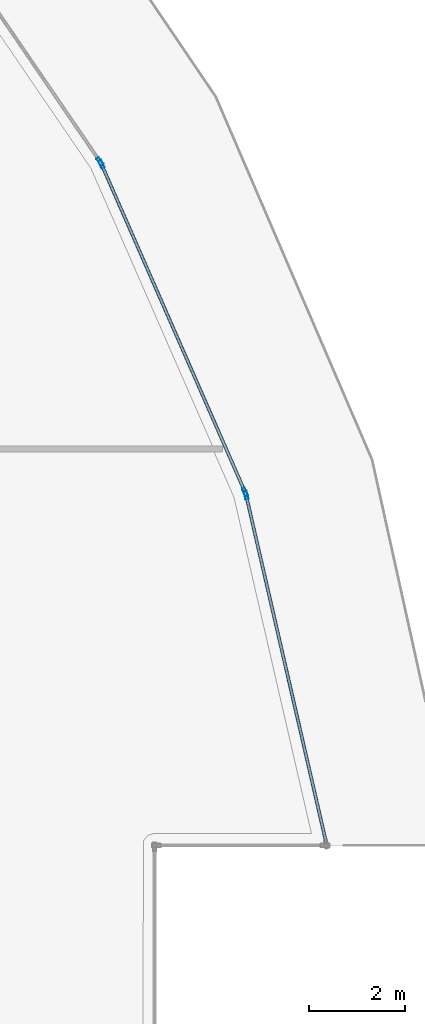
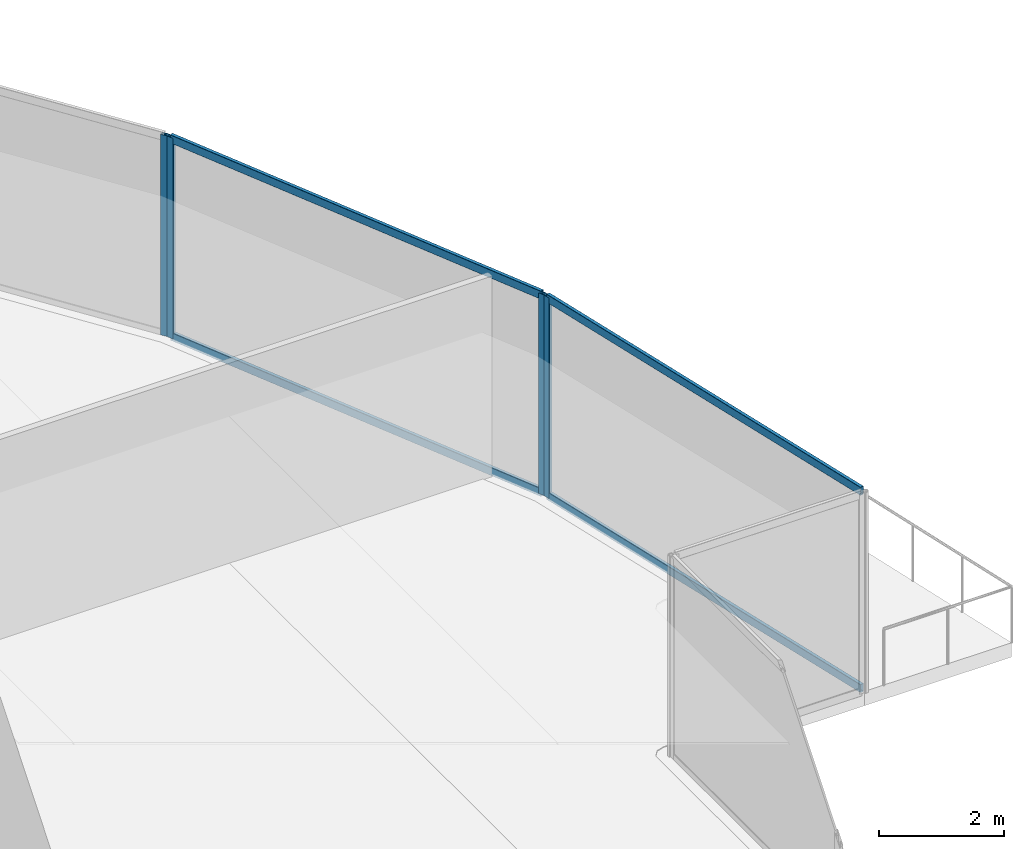
# One storey, part 25 of 44: 8 members, 3 elements without a shape of their own.
"""IFC4 building model written with IfcOpenShell, lengths in metres."""

from ifc_helpers import new_model, si_unit, direction, frame, origin, origin_2d, place, context, subcontext, project, spatial, hollow_rectangle, extrude, material, layer, layer_set, material_profile, profile_set, type_object, element, aggregate, save


model = new_model("IFC4")

# Units and contexts
model_context = context("Model", 3, precision=1e-05, world=origin(), true_north=direction((0.0, 1.0)))
body_context = subcontext(model_context, "Body", "Model", "MODEL_VIEW")
ifc_project = project(units=[si_unit("LENGTHUNIT", "METRE"), si_unit("AREAUNIT", "SQUARE_METRE"), si_unit("VOLUMEUNIT", "CUBIC_METRE"), si_unit("PLANEANGLEUNIT", "RADIAN"), si_unit("MASSUNIT", "GRAM", prefix="KILO")], contexts=[model_context])

# Site, building, storey
site_placement = place(None, origin())
site = spatial("IfcSite", under=ifc_project, at=site_placement, CompositionType="ELEMENT")
building_placement = place(site_placement, origin())
building = spatial("IfcBuilding", under=site, at=building_placement, Name="Qorvath Tower", CompositionType="ELEMENT")
storey_placement = place(building_placement, frame((0.0, 0.0, 45.0)))
storey = spatial("IfcBuildingStorey", under=building, at=storey_placement, Name="L09", CompositionType="ELEMENT", Elevation=45.0)

# Curtain wall, member
ifc_material_1 = material(Name="Anodised aluminium and triple low-E glass", Category="aluminium")
ifc_layer = layer(ifc_material_1, 0.179931640625)
ifc_layer_set = layer_set([ifc_layer], Name="CW-SYS-2")
curtain_wall_type = type_object("IfcCurtainWallType", Name="CW-SYS-2", PredefinedType="NOTDEFINED", material=ifc_layer_set)
curtain_wall_1_placement = place(storey_placement, origin())
curtain_wall_1 = element("IfcCurtainWall", 1, at=curtain_wall_1_placement, inside=storey, type_object=curtain_wall_type, Name="Curtain Wall CW-2 CW-T-L09-11.1", PredefinedType="NOTDEFINED")
ifc_material_2 = material(Name="Anodised aluminium 6063-T6", Category="aluminium")
ifc_material_profile_1 = material_profile(ifc_material_2, hollow_rectangle(XDim=0.06494140625, YDim=0.179931640625, WallThickness=0.00341796875, InnerFilletRadius=0.00341796875, OuterFilletRadius=0.007080078125, at=origin_2d()), Name="CWM 180x65")
ifc_profile_set_1 = profile_set([ifc_material_profile_1], Name="Anodised aluminium 6063-T6")
member_type_1 = type_object("IfcMemberType", Name="CWM-180", PredefinedType="MULLION", material=ifc_profile_set_1)
member_1_placement = place(storey_placement, frame((5.63818359375, 12.63037109375, 0.0), z_axis=(0.0, 0.0, 1.0), x_axis=(-0.974466004857, -0.224535087188, 0.0)))
member_1 = element("IfcMember", 2, at=member_1_placement, type_object=member_type_1, Name="CW-2 mullion 2", PredefinedType="MULLION", context=body_context, shape_type="SweptSolid", body=[
    extrude(hollow_rectangle(XDim=0.06494140625, YDim=0.179931640625, WallThickness=0.00341796875, InnerFilletRadius=0.00341796875, OuterFilletRadius=0.007080078125, at=origin_2d()), origin(), (0.0, 0.0, 1.0), 3.919921875),
])

# Curtain wall, members
curtain_wall_2_placement = place(storey_placement, origin())
curtain_wall_2 = element("IfcCurtainWall", 3, at=curtain_wall_2_placement, inside=storey, type_object=curtain_wall_type, Name="Curtain Wall CW-2 CW-T-L09-12.1", PredefinedType="NOTDEFINED")
member_2_placement = place(storey_placement, frame((5.617919921875, 12.69189453125, 0.0), z_axis=(0.0, 0.0, 1.0), x_axis=(-0.916000523281, -0.401177069819, 0.0)))
member_2 = element("IfcMember", 4, at=member_2_placement, type_object=member_type_1, Name="CW-2 mullion 1", PredefinedType="MULLION", context=body_context, shape_type="SweptSolid", body=[
    extrude(hollow_rectangle(XDim=0.06494140625, YDim=0.179931640625, WallThickness=0.00341796875, InnerFilletRadius=0.00341796875, OuterFilletRadius=0.007080078125, at=origin_2d()), origin(), (0.0, 0.0, 1.0), 3.919921875),
])
member_3_placement = place(storey_placement, frame((2.63623046875, 19.49951171875, 0.0), z_axis=(0.0, 0.0, 1.0), x_axis=(-0.916000523281, -0.401177069819, 0.0)))
member_3 = element("IfcMember", 5, at=member_3_placement, type_object=member_type_1, Name="CW-2 mullion 2", PredefinedType="MULLION", context=body_context, shape_type="SweptSolid", body=[
    extrude(hollow_rectangle(XDim=0.06494140625, YDim=0.179931640625, WallThickness=0.00341796875, InnerFilletRadius=0.00341796875, OuterFilletRadius=0.007080078125, at=origin_2d()), origin(), (0.0, 0.0, 1.0), 3.919921875),
])

# Curtain wall, member
curtain_wall_3_placement = place(storey_placement, origin())
curtain_wall_3 = element("IfcCurtainWall", 6, at=curtain_wall_3_placement, inside=storey, type_object=curtain_wall_type, Name="Curtain Wall CW-2 CW-T-L09-13.1", PredefinedType="NOTDEFINED")
member_4_placement = place(storey_placement, frame((2.60498046875, 19.55615234375, 0.0), z_axis=(0.0, 0.0, 1.0), x_axis=(-0.825849008834, -0.563891314535, 0.0)))
member_4 = element("IfcMember", 7, at=member_4_placement, type_object=member_type_1, Name="CW-2 mullion 1", PredefinedType="MULLION", context=body_context, shape_type="SweptSolid", body=[
    extrude(hollow_rectangle(XDim=0.06494140625, YDim=0.179931640625, WallThickness=0.00341796875, InnerFilletRadius=0.00341796875, OuterFilletRadius=0.007080078125, at=origin_2d()), origin(), (0.0, 0.0, 1.0), 3.919921875),
])
aggregate(curtain_wall_3, [member_4])

# Member
ifc_material_3 = material(Name="Anodised aluminium 6063-T6", Category="aluminium")
ifc_material_profile_2 = material_profile(ifc_material_3, hollow_rectangle(XDim=0.06494140625, YDim=0.159912109375, WallThickness=0.00341796875, InnerFilletRadius=0.00341796875, OuterFilletRadius=0.007080078125, at=origin_2d()), Name="CWT 160x65")
ifc_profile_set_2 = profile_set([ifc_material_profile_2], Name="Anodised aluminium 6063-T6")
member_type_2 = type_object("IfcMemberType", Name="CWT-160", PredefinedType="USERDEFINED", material=ifc_profile_set_2)
member_5_placement = place(storey_placement, frame((7.299560546875, 5.419921875, 0.032470703125), z_axis=(-0.224520650213, 0.974469331292, 0.0), x_axis=(-0.974469331292, -0.224520650213, 0.0)))
member_5 = element("IfcMember", 8, at=member_5_placement, type_object=member_type_2, Name="CW-2 transom 1.1", ObjectType="TRANSOM", PredefinedType="USERDEFINED", context=body_context, shape_type="SweptSolid", body=[
    extrude(hollow_rectangle(XDim=0.06494140625, YDim=0.159912109375, WallThickness=0.00341796875, InnerFilletRadius=0.00341796875, OuterFilletRadius=0.007080078125, at=origin_2d()), origin(), (0.0, 0.0, 1.0), 7.366943359375),
])

member_6_placement = place(storey_placement, frame((7.299560546875, 5.419921875, 3.887451171875), z_axis=(-0.224520650213, 0.974469331292, 0.0), x_axis=(-0.974469331292, -0.224520650213, 0.0)))
member_6 = element("IfcMember", 9, at=member_6_placement, type_object=member_type_2, Name="CW-2 transom 1.2", ObjectType="TRANSOM", PredefinedType="USERDEFINED", context=body_context, shape_type="SweptSolid", body=[
    extrude(hollow_rectangle(XDim=0.06494140625, YDim=0.159912109375, WallThickness=0.00341796875, InnerFilletRadius=0.00341796875, OuterFilletRadius=0.007080078125, at=origin_2d()), origin(), (0.0, 0.0, 1.0), 7.366943359375),
])

aggregate(curtain_wall_1, [member_1, member_5, member_6])

member_7_placement = place(storey_placement, frame((5.604736328125, 12.7216796875, 0.032470703125), z_axis=(-0.401166509416, 0.916005148306, 0.0), x_axis=(-0.916005148306, -0.401166509416, 0.0)))
member_7 = element("IfcMember", 10, at=member_7_placement, type_object=member_type_2, Name="CW-2 transom 1.1", ObjectType="TRANSOM", PredefinedType="USERDEFINED", context=body_context, shape_type="SweptSolid", body=[
    extrude(hollow_rectangle(XDim=0.06494140625, YDim=0.159912109375, WallThickness=0.00341796875, InnerFilletRadius=0.00341796875, OuterFilletRadius=0.007080078125, at=origin_2d()), origin(), (0.0, 0.0, 1.0), 7.366943359375),
])

member_8_placement = place(storey_placement, frame((5.604736328125, 12.7216796875, 3.887451171875), z_axis=(-0.401166509416, 0.916005148306, 0.0), x_axis=(-0.916005148306, -0.401166509416, 0.0)))
member_8 = element("IfcMember", 11, at=member_8_placement, type_object=member_type_2, Name="CW-2 transom 1.2", ObjectType="TRANSOM", PredefinedType="USERDEFINED", context=body_context, shape_type="SweptSolid", body=[
    extrude(hollow_rectangle(XDim=0.06494140625, YDim=0.159912109375, WallThickness=0.00341796875, InnerFilletRadius=0.00341796875, OuterFilletRadius=0.007080078125, at=origin_2d()), origin(), (0.0, 0.0, 1.0), 7.366943359375),
])

aggregate(curtain_wall_2, [member_2, member_3, member_7, member_8])

save(model, "model.ifc")
